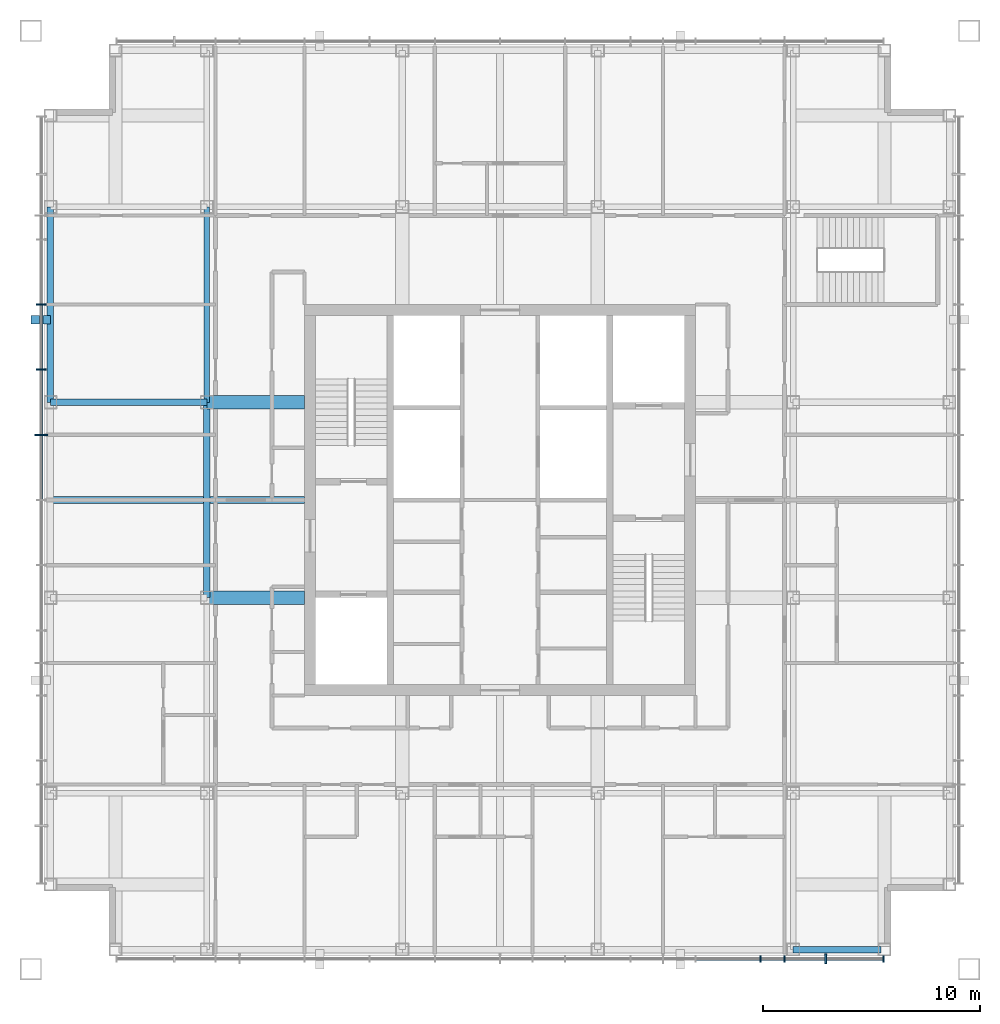
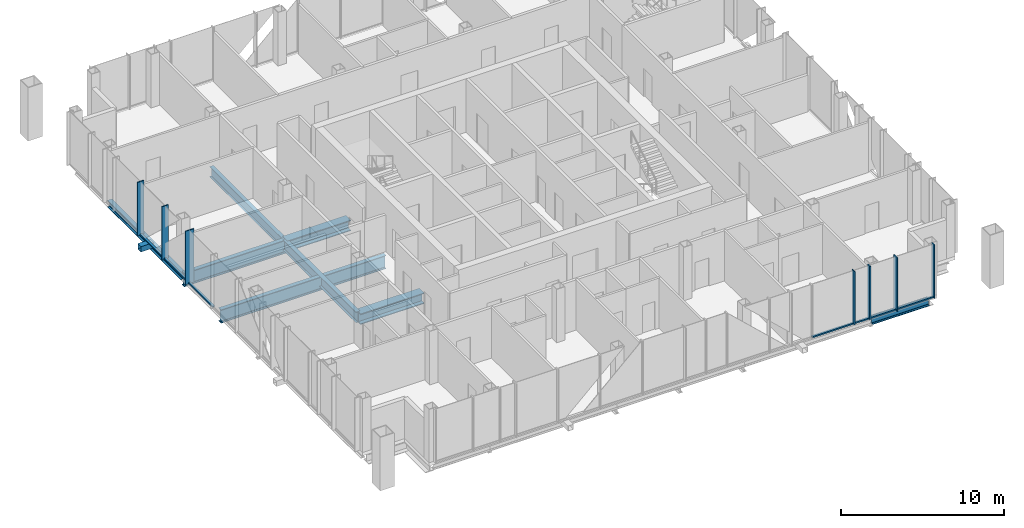
# One storey, part 3 of 12: 15 members, 8 beams, 2 elements without a shape of their own.
"""IFC4 building model written with IfcOpenShell, lengths in metres."""

from ifc_helpers import new_model, si_unit, direction, frame, origin, origin_2d, place, context, subcontext, project, spatial, rectangle, hollow_rectangle, i_section, extrude, material, layer, layer_set, material_profile, profile_set, type_object, element, aggregate, save


model = new_model("IFC4")

# Units and contexts
model_context = context("Model", 3, precision=1e-05, world=origin(), true_north=direction((0.0, 1.0)))
body_context = subcontext(model_context, "Body", "Model", "MODEL_VIEW")
ifc_project = project(units=[si_unit("LENGTHUNIT", "METRE"), si_unit("AREAUNIT", "SQUARE_METRE"), si_unit("VOLUMEUNIT", "CUBIC_METRE"), si_unit("PLANEANGLEUNIT", "RADIAN"), si_unit("MASSUNIT", "GRAM", prefix="KILO")], contexts=[model_context])

# Site, building, storey
site_placement = place(None, origin())
site = spatial("IfcSite", under=ifc_project, at=site_placement, CompositionType="ELEMENT")
building_placement = place(site_placement, origin())
building = spatial("IfcBuilding", under=site, at=building_placement, Name="Malebo Sky Hospital", CompositionType="ELEMENT")
storey_placement = place(building_placement, frame((0.0, 0.0, 262.0)))
storey = spatial("IfcBuildingStorey", under=building, at=storey_placement, Name="L63", CompositionType="ELEMENT", Elevation=262.0)

# Curtain wall, members
ifc_material_1 = material(Name="Anodised aluminium, natural silver", Category="aluminium")
ifc_layer_1 = layer(ifc_material_1, 0.25)
ifc_layer_set_1 = layer_set([ifc_layer_1], Name="WARD CURTAIN WALL EAST AND WEST")
curtain_wall_type_1 = type_object("IfcCurtainWallType", Name="WARD CURTAIN WALL EAST AND WEST", PredefinedType="NOTDEFINED", material=ifc_layer_set_1)
curtain_wall_1_placement = place(storey_placement, origin())
curtain_wall_1 = element("IfcCurtainWall", 1, at=curtain_wall_1_placement, inside=storey, type_object=curtain_wall_type_1, Name="EW curtain wall W", PredefinedType="NOTDEFINED")
ifc_material_profile_1 = material_profile(ifc_material_1, rectangle(XDim=0.14990234375, YDim=0.10009765625, at=origin_2d()), Name="ALUMINIUM TRANSOM 150x100")
ifc_profile_set_1 = profile_set([ifc_material_profile_1], Name="Anodised aluminium, natural silver")
member_type_1 = type_object("IfcMemberType", Name="ALUMINIUM TRANSOM 150x100", PredefinedType="USERDEFINED", material=ifc_profile_set_1)
member_1_placement = place(storey_placement, frame((38.875, 62.03759765625, 0.050048828125), z_axis=(0.0, 1.0, 0.0), x_axis=(-1.0, 0.0, 0.0)))
member_1 = element("IfcMember", 2, at=member_1_placement, type_object=member_type_1, Name="Transom 9", ObjectType="TRANSOM", PredefinedType="USERDEFINED", context=body_context, shape_type="SweptSolid", body=[
    extrude(rectangle(XDim=0.14990234375, YDim=0.10009765625, at=origin_2d()), origin(), (0.0, 0.0, 1.0), 2.9248046875),
])
member_2_placement = place(storey_placement, frame((38.875, 65.03759765625, 0.050048828125), z_axis=(0.0, 1.0, 0.0), x_axis=(-1.0, 0.0, 0.0)))
member_2 = element("IfcMember", 3, at=member_2_placement, type_object=member_type_1, Name="Transom 10", ObjectType="TRANSOM", PredefinedType="USERDEFINED", context=body_context, shape_type="SweptSolid", body=[
    extrude(rectangle(XDim=0.14990234375, YDim=0.10009765625, at=origin_2d()), origin(), (0.0, 0.0, 1.0), 2.9248046875),
])
member_3_placement = place(storey_placement, frame((38.875, 68.03759765625, 0.050048828125), z_axis=(0.0, 1.0, 0.0), x_axis=(-1.0, 0.0, 0.0)))
member_3 = element("IfcMember", 4, at=member_3_placement, type_object=member_type_1, Name="Transom 11", ObjectType="TRANSOM", PredefinedType="USERDEFINED", context=body_context, shape_type="SweptSolid", body=[
    extrude(rectangle(XDim=0.14990234375, YDim=0.10009765625, at=origin_2d()), origin(), (0.0, 0.0, 1.0), 2.9248046875),
])

ifc_layer_2 = layer(ifc_material_1, 0.25)
ifc_layer_set_2 = layer_set([ifc_layer_2], Name="WARD CURTAIN WALL NORTH AND SOUTH")
curtain_wall_type_2 = type_object("IfcCurtainWallType", Name="WARD CURTAIN WALL NORTH AND SOUTH", PredefinedType="NOTDEFINED", material=ifc_layer_set_2)
curtain_wall_2_placement = place(storey_placement, origin())
curtain_wall_2 = element("IfcCurtainWall", 5, at=curtain_wall_2_placement, inside=storey, type_object=curtain_wall_type_2, Name="NS curtain wall S", PredefinedType="NOTDEFINED")
member_4_placement = place(storey_placement, frame((77.625, 40.875, 0.050048828125), z_axis=(-1.0, 0.0, 0.0), x_axis=(0.0, -1.0, 0.0)))
member_4 = element("IfcMember", 6, at=member_4_placement, type_object=member_type_1, Name="Transom 1", ObjectType="TRANSOM", PredefinedType="USERDEFINED", context=body_context, shape_type="SweptSolid", body=[
    extrude(rectangle(XDim=0.14990234375, YDim=0.10009765625, at=origin_2d()), origin(), (0.0, 0.0, 1.0), 2.58740234375),
])
member_5_placement = place(storey_placement, frame((74.96240234375, 40.875, 0.050048828125), z_axis=(-1.0, 0.0, 0.0), x_axis=(0.0, -1.0, 0.0)))
member_5 = element("IfcMember", 7, at=member_5_placement, type_object=member_type_1, Name="Transom 2", ObjectType="TRANSOM", PredefinedType="USERDEFINED", context=body_context, shape_type="SweptSolid", body=[
    extrude(rectangle(XDim=0.14990234375, YDim=0.10009765625, at=origin_2d()), origin(), (0.0, 0.0, 1.0), 1.824951171875),
])
member_6_placement = place(storey_placement, frame((73.0625, 40.875, 0.050048828125), z_axis=(-1.0, 0.0, 0.0), x_axis=(0.0, -1.0, 0.0)))
member_6 = element("IfcMember", 8, at=member_6_placement, type_object=member_type_1, Name="Transom 3", ObjectType="TRANSOM", PredefinedType="USERDEFINED", context=body_context, shape_type="SweptSolid", body=[
    extrude(rectangle(XDim=0.14990234375, YDim=0.10009765625, at=origin_2d()), origin(), (0.0, 0.0, 1.0), 1.02490234375),
])
member_7_placement = place(storey_placement, frame((71.96240234375, 40.875, 0.050048828125), z_axis=(-1.0, 0.0, 0.0), x_axis=(0.0, -1.0, 0.0)))
member_7 = element("IfcMember", 9, at=member_7_placement, type_object=member_type_1, Name="Transom 4", ObjectType="TRANSOM", PredefinedType="USERDEFINED", context=body_context, shape_type="SweptSolid", body=[
    extrude(rectangle(XDim=0.14990234375, YDim=0.10009765625, at=origin_2d()), origin(), (0.0, 0.0, 1.0), 2.9248046875),
])

# Member
ifc_material_2 = material(Name="Steel S355", Category="steel")
ifc_material_profile_2 = material_profile(ifc_material_2, hollow_rectangle(XDim=0.39990234375, YDim=0.39990234375, WallThickness=0.02001953125, at=origin_2d()), Name="SHS 400x20")
ifc_profile_set_2 = profile_set([ifc_material_profile_2], Name="Steel S355")
member_type_2 = type_object("IfcMemberType", Name="BRACE STRUT SHS 400x20", PredefinedType="STRUT", material=ifc_profile_set_2)
member_8_placement = place(storey_placement, frame((38.39990234375, 70.303466796875, -0.39990234375), z_axis=(1.0, 0.0, 0.0), x_axis=(0.0, 1.0, 0.0)))
element("IfcMember", 10, at=member_8_placement, inside=storey, type_object=member_type_2, Name="Brace strut DW1 L63", PredefinedType="STRUT", context=body_context, shape_type="SweptSolid", body=[
    extrude(hollow_rectangle(XDim=0.39990234375, YDim=0.39990234375, WallThickness=0.02001953125, at=origin_2d()), origin(), (0.0, 0.0, 1.0), 0.900146484375),
])

ifc_material_profile_3 = material_profile(ifc_material_1, rectangle(XDim=0.074951171875, YDim=0.300048828125, at=origin_2d()), Name="CW1 ALUMINIUM FIN MULLION 75x300")
ifc_profile_set_3 = profile_set([ifc_material_profile_3], Name="Anodised aluminium, natural silver")
member_type_3 = type_object("IfcMemberType", Name="CW1 ALUMINIUM FIN MULLION 75x300", PredefinedType="MULLION", material=ifc_profile_set_3)
member_9_placement = place(storey_placement, frame((77.66259765625, 40.875, 0.0), z_axis=(0.0, 0.0, 1.0), x_axis=(-1.0, 0.0, 0.0)))
member_9 = element("IfcMember", 11, at=member_9_placement, type_object=member_type_3, Name="Fin mullion 1", PredefinedType="MULLION", context=body_context, shape_type="SweptSolid", body=[
    extrude(rectangle(XDim=0.074951171875, YDim=0.300048828125, at=origin_2d()), origin(), (0.0, 0.0, 1.0), 4.0),
])

member_10_placement = place(storey_placement, frame((73.10009765625, 40.875, 0.0), z_axis=(0.0, 0.0, 1.0), x_axis=(-1.0, 0.0, 0.0)))
member_10 = element("IfcMember", 12, at=member_10_placement, type_object=member_type_3, Name="Fin mullion 3", PredefinedType="MULLION", context=body_context, shape_type="SweptSolid", body=[
    extrude(rectangle(XDim=0.074951171875, YDim=0.300048828125, at=origin_2d()), origin(), (0.0, 0.0, 1.0), 4.0),
])

member_11_placement = place(storey_placement, frame((72.0, 40.875, 0.0), z_axis=(0.0, 0.0, 1.0), x_axis=(-1.0, 0.0, 0.0)))
member_11 = element("IfcMember", 13, at=member_11_placement, type_object=member_type_3, Name="Fin mullion 4", PredefinedType="MULLION", context=body_context, shape_type="SweptSolid", body=[
    extrude(rectangle(XDim=0.074951171875, YDim=0.300048828125, at=origin_2d()), origin(), (0.0, 0.0, 1.0), 4.0),
])

ifc_material_profile_4 = material_profile(ifc_material_1, rectangle(XDim=0.074951171875, YDim=0.449951171875, at=origin_2d()), Name="CW1 ALUMINIUM FIN MULLION 75x450")
ifc_profile_set_4 = profile_set([ifc_material_profile_4], Name="Anodised aluminium, natural silver")
member_type_4 = type_object("IfcMemberType", Name="CW1 ALUMINIUM FIN MULLION 75x450", PredefinedType="MULLION", material=ifc_profile_set_4)
member_12_placement = place(storey_placement, frame((75.0, 40.875, 0.0), z_axis=(0.0, 0.0, 1.0), x_axis=(-1.0, 0.0, 0.0)))
member_12 = element("IfcMember", 14, at=member_12_placement, type_object=member_type_4, Name="Fin mullion 2", PredefinedType="MULLION", context=body_context, shape_type="SweptSolid", body=[
    extrude(rectangle(XDim=0.074951171875, YDim=0.449951171875, at=origin_2d()), origin(), (0.0, 0.0, 1.0), 4.0),
])

aggregate(curtain_wall_2, [member_9, member_12, member_10, member_11, member_4, member_5, member_6, member_7])

ifc_material_profile_5 = material_profile(ifc_material_1, rectangle(XDim=0.074951171875, YDim=0.449951171875, at=origin_2d()), Name="CW2 ALUMINIUM FIN MULLION 75x450")
ifc_profile_set_5 = profile_set([ifc_material_profile_5], Name="Anodised aluminium, natural silver")
member_type_5 = type_object("IfcMemberType", Name="CW2 ALUMINIUM FIN MULLION 75x450", PredefinedType="MULLION", material=ifc_profile_set_5)
member_13_placement = place(storey_placement, frame((38.875, 68.0, 0.0), z_axis=(0.0, 0.0, 1.0), x_axis=(0.0, 1.0, 0.0)))
member_13 = element("IfcMember", 15, at=member_13_placement, type_object=member_type_5, Name="Fin mullion 11", PredefinedType="MULLION", context=body_context, shape_type="SweptSolid", body=[
    extrude(rectangle(XDim=0.074951171875, YDim=0.449951171875, at=origin_2d()), origin(), (0.0, 0.0, 1.0), 4.0),
])

member_14_placement = place(storey_placement, frame((38.875, 71.0, 0.0), z_axis=(0.0, 0.0, 1.0), x_axis=(0.0, 1.0, 0.0)))
member_14 = element("IfcMember", 16, at=member_14_placement, type_object=member_type_5, Name="Fin mullion 12", PredefinedType="MULLION", context=body_context, shape_type="SweptSolid", body=[
    extrude(rectangle(XDim=0.074951171875, YDim=0.449951171875, at=origin_2d()), origin(), (0.0, 0.0, 1.0), 4.0),
])

ifc_material_profile_6 = material_profile(ifc_material_1, rectangle(XDim=0.074951171875, YDim=0.60009765625, at=origin_2d()), Name="CW2 ALUMINIUM FIN MULLION 75x600")
ifc_profile_set_6 = profile_set([ifc_material_profile_6], Name="Anodised aluminium, natural silver")
member_type_6 = type_object("IfcMemberType", Name="CW2 ALUMINIUM FIN MULLION 75x600", PredefinedType="MULLION", material=ifc_profile_set_6)
member_15_placement = place(storey_placement, frame((38.875, 65.0, 0.0), z_axis=(0.0, 0.0, 1.0), x_axis=(0.0, 1.0, 0.0)))
member_15 = element("IfcMember", 17, at=member_15_placement, type_object=member_type_6, Name="Fin mullion 10", PredefinedType="MULLION", context=body_context, shape_type="SweptSolid", body=[
    extrude(rectangle(XDim=0.074951171875, YDim=0.60009765625, at=origin_2d()), origin(), (0.0, 0.0, 1.0), 4.0),
])

aggregate(curtain_wall_1, [member_15, member_13, member_14, member_1, member_2, member_3])

# Beams
ifc_material_profile_7 = material_profile(ifc_material_2, i_section(OverallWidth=0.305908203125, OverallDepth=0.52392578125, WebThickness=0.02099609375, FlangeThickness=0.0400390625, FilletRadius=0.027099609375, at=origin_2d()), Name="HEM 500")
ifc_profile_set_7 = profile_set([ifc_material_profile_7], Name="Steel S355")
beam_type_1 = type_object("IfcBeamType", Name="EDGE BEAM HEM 500", PredefinedType="BEAM", material=ifc_profile_set_7)
beam_1_placement = place(storey_placement, frame((39.300048828125, 66.5, -0.511962890625), z_axis=(0.0, 1.0, 0.0), x_axis=(-1.0, 0.0, 0.0)))
element("IfcBeam", 18, at=beam_1_placement, inside=storey, type_object=beam_type_1, Name="Beam 003 L63", PredefinedType="BEAM", context=body_context, shape_type="SweptSolid", body=[
    extrude(i_section(OverallWidth=0.305908203125, OverallDepth=0.52392578125, WebThickness=0.02099609375, FlangeThickness=0.0400390625, FilletRadius=0.027099609375, at=origin_2d()), origin(), (0.0, 0.0, 1.0), 9.0),
])
beam_2_placement = place(storey_placement, frame((73.5, 41.300048828125, -0.511962890625), z_axis=(1.0, 0.0, 0.0), x_axis=(0.0, 1.0, 0.0)))
element("IfcBeam", 19, at=beam_2_placement, inside=storey, type_object=beam_type_1, Name="Beam 038 L63", PredefinedType="BEAM", context=body_context, shape_type="SweptSolid", body=[
    extrude(i_section(OverallWidth=0.305908203125, OverallDepth=0.52392578125, WebThickness=0.02099609375, FlangeThickness=0.0400390625, FilletRadius=0.027099609375, at=origin_2d()), origin(), (0.0, 0.0, 1.0), 4.050048828125),
])
ifc_material_profile_8 = material_profile(ifc_material_2, i_section(OverallWidth=0.300048828125, OverallDepth=1.0, WebThickness=0.01904296875, FlangeThickness=0.035888671875, FilletRadius=0.030029296875, at=origin_2d()), Name="HEB 1000")
ifc_profile_set_8 = profile_set([ifc_material_profile_8], Name="Steel S355")
beam_type_2 = type_object("IfcBeamType", Name="FLOOR BEAM HEB 1000", PredefinedType="BEAM", material=ifc_profile_set_8)
beam_3_placement = place(storey_placement, frame((39.300048828125, 62.0, -0.75), z_axis=(1.0, 0.0, 0.0), x_axis=(0.0, 1.0, 0.0)))
element("IfcBeam", 20, at=beam_3_placement, inside=storey, type_object=beam_type_2, Name="Beam 050 L63", PredefinedType="BEAM", context=body_context, shape_type="SweptSolid", body=[
    extrude(i_section(OverallWidth=0.300048828125, OverallDepth=1.0, WebThickness=0.01904296875, FlangeThickness=0.035888671875, FilletRadius=0.030029296875, at=origin_2d()), origin(), (0.0, 0.0, 1.0), 11.699951171875),
])
beam_4_placement = place(storey_placement, frame((39.300048828125, 66.5, -0.75), z_axis=(1.0, 0.0, 0.0), x_axis=(0.0, 1.0, 0.0)))
element("IfcBeam", 21, at=beam_4_placement, inside=storey, type_object=beam_type_2, Name="Beam 052 L63", PredefinedType="BEAM", context=body_context, shape_type="SweptSolid", body=[
    extrude(i_section(OverallWidth=0.300048828125, OverallDepth=1.0, WebThickness=0.01904296875, FlangeThickness=0.035888671875, FilletRadius=0.030029296875, at=origin_2d()), origin(), (0.0, 0.0, 1.0), 7.199951171875),
])
ifc_material_profile_9 = material_profile(ifc_material_2, i_section(OverallWidth=0.26708984375, OverallDepth=0.761962890625, WebThickness=0.014404296875, FlangeThickness=0.021484375, FilletRadius=0.01708984375, at=origin_2d()), Name="IPE 750x173")
ifc_profile_set_9 = profile_set([ifc_material_profile_9], Name="Steel S355")
beam_type_3 = type_object("IfcBeamType", Name="FLOOR BEAM IPE 750x173", PredefinedType="BEAM", material=ifc_profile_set_9)
beam_5_placement = place(storey_placement, frame((46.5, 66.5, -0.631103515625), z_axis=(0.0, 1.0, 0.0), x_axis=(-1.0, 0.0, 0.0)))
element("IfcBeam", 22, at=beam_5_placement, inside=storey, type_object=beam_type_3, Name="Beam 010 L63", PredefinedType="BEAM", context=body_context, shape_type="SweptSolid", body=[
    extrude(i_section(OverallWidth=0.26708984375, OverallDepth=0.761962890625, WebThickness=0.014404296875, FlangeThickness=0.021484375, FilletRadius=0.01708984375, at=origin_2d()), origin(), (0.0, 0.0, 1.0), 9.0),
])
ifc_material_profile_10 = material_profile(ifc_material_2, i_section(OverallWidth=0.60009765625, OverallDepth=0.800048828125, WebThickness=0.0400390625, FlangeThickness=0.06005859375, at=origin_2d()), Name="PG 800x600x40x60")
ifc_profile_set_10 = profile_set([ifc_material_profile_10], Name="Steel S355")
beam_type_4 = type_object("IfcBeamType", Name="FLOOR BEAM PG 800x600x40x60", PredefinedType="BEAM", material=ifc_profile_set_10)
for number, where, z_axis, x_axis, name in (
    (23, (46.5, 57.5, -0.64990234375), (1.0, 0.0, 0.0), (0.0, 1.0, 0.0), "Beam 047 L63"),
    (24, (46.5, 66.5, -0.64990234375), (1.0, 0.0, 0.0), (0.0, 1.0, 0.0), "Beam 053 L63"),
):
    element("IfcBeam", number, at=place(storey_placement, frame(where, z_axis=z_axis, x_axis=x_axis)), inside=storey, type_object=beam_type_4, Name=name, PredefinedType="BEAM", context=body_context, shape_type="SweptSolid", body=[
        extrude(i_section(OverallWidth=0.60009765625, OverallDepth=0.800048828125, WebThickness=0.0400390625, FlangeThickness=0.06005859375, at=origin_2d()), origin(), (0.0, 0.0, 1.0), 4.5),
    ])
ifc_material_profile_11 = material_profile(ifc_material_2, i_section(OverallWidth=0.300048828125, OverallDepth=0.800048828125, WebThickness=0.017578125, FlangeThickness=0.032958984375, FilletRadius=0.030029296875, at=origin_2d()), Name="HEB 800")
ifc_profile_set_11 = profile_set([ifc_material_profile_11], Name="Steel S355")
beam_type_5 = type_object("IfcBeamType", Name="RING GIRDER HEB 800", PredefinedType="BEAM", material=ifc_profile_set_11)
beam_6_placement = place(storey_placement, frame((46.5, 57.5, -0.64990234375), z_axis=(0.0, 1.0, 0.0), x_axis=(-1.0, 0.0, 0.0)))
element("IfcBeam", 25, at=beam_6_placement, inside=storey, type_object=beam_type_5, Name="Beam 009 L63", PredefinedType="BEAM", context=body_context, shape_type="SweptSolid", body=[
    extrude(i_section(OverallWidth=0.300048828125, OverallDepth=0.800048828125, WebThickness=0.017578125, FlangeThickness=0.032958984375, FilletRadius=0.030029296875, at=origin_2d()), origin(), (0.0, 0.0, 1.0), 9.0),
])

save(model, "model.ifc")
